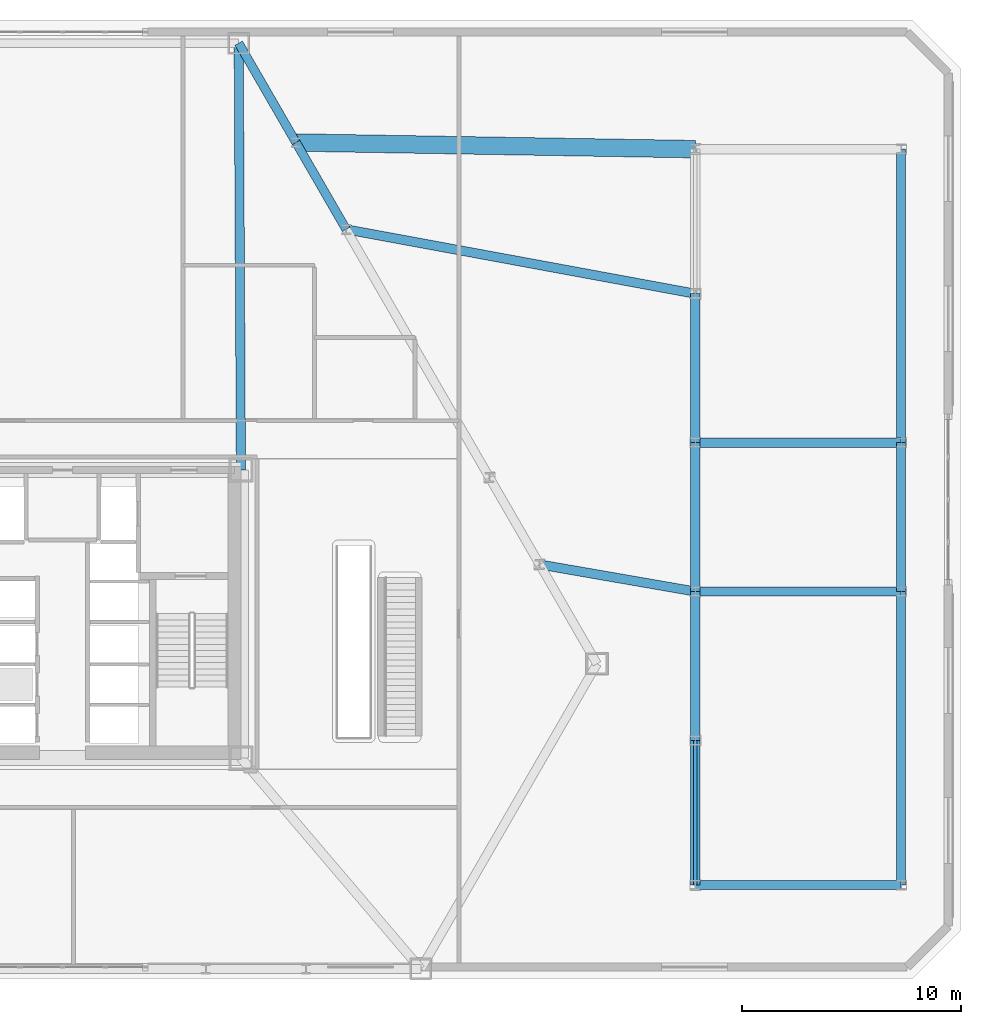
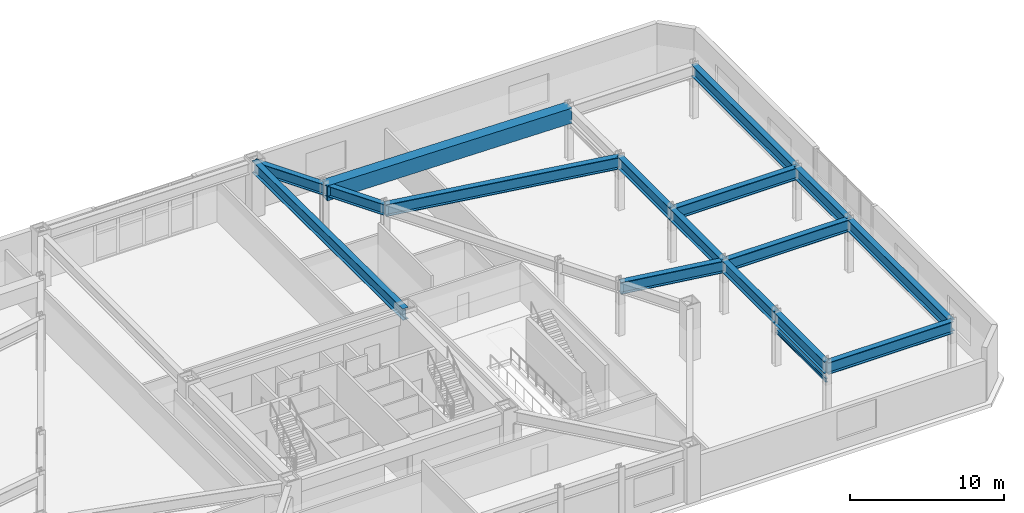
# One storey, part 11 of 21: 17 beams.
"""IFC4 building model written with IfcOpenShell, lengths in metres."""

from ifc_helpers import new_model, si_unit, direction, frame, origin, origin_2d, place, context, subcontext, project, spatial, hollow_rectangle, i_section, extrude, material, material_profile, profile_set, type_object, element, save


model = new_model("IFC4")

# Units and contexts
model_context = context("Model", 3, precision=1e-05, world=origin(), true_north=direction((0.0, 1.0)))
body_context = subcontext(model_context, "Body", "Model", "MODEL_VIEW")
ifc_project = project(units=[si_unit("LENGTHUNIT", "METRE"), si_unit("AREAUNIT", "SQUARE_METRE"), si_unit("VOLUMEUNIT", "CUBIC_METRE"), si_unit("PLANEANGLEUNIT", "RADIAN"), si_unit("MASSUNIT", "GRAM", prefix="KILO")], contexts=[model_context])

# Site, building, storey
site_placement = place(None, origin())
site = spatial("IfcSite", under=ifc_project, at=site_placement, CompositionType="ELEMENT")
building_placement = place(site_placement, origin())
building = spatial("IfcBuilding", under=site, at=building_placement, Name="Oramaril Tower", CompositionType="ELEMENT")
storey_placement = place(building_placement, frame((0.0, 0.0, 5.39990234375)))
storey = spatial("IfcBuildingStorey", under=building, at=storey_placement, Name="L01", CompositionType="ELEMENT", Elevation=5.39990234375)

# Beams
ifc_material_1 = material(Name="Steel ASTM A572 Gr 50", Category="steel")
ifc_material_profile_1 = material_profile(ifc_material_1, i_section(OverallWidth=0.1650390625, OverallDepth=0.31005859375, WebThickness=0.005859375, FlangeThickness=0.009765625, at=origin_2d()), Name="W12X26")
ifc_profile_set_1 = profile_set([ifc_material_profile_1], Name="Steel ASTM A572 Gr 50")
beam_type_1 = type_object("IfcBeamType", Name="BT-LN1", PredefinedType="LINTEL", material=ifc_profile_set_1)
beam_1_placement = place(storey_placement, frame((66.39990234375, 5.199951171875, 2.695068359375), z_axis=(0.0, 1.0, 0.0), x_axis=(-1.0, 0.0, 0.0)))
element("IfcBeam", 1, at=beam_1_placement, inside=storey, type_object=beam_type_1, Name="L01 Podium Opening Lintel Beam", PredefinedType="LINTEL", context=body_context, shape_type="SweptSolid", body=[
    extrude(i_section(OverallWidth=0.1650390625, OverallDepth=0.31005859375, WebThickness=0.005859375, FlangeThickness=0.009765625, at=origin_2d()), origin(), (0.0, 0.0, 1.0), 6.60009765625),
])
ifc_material_2 = material(Name="Steel ASTM A572 Gr 50", Category="steel")
ifc_material_profile_2 = material_profile(ifc_material_2, i_section(OverallWidth=0.424072265625, OverallDepth=0.947021484375, WebThickness=0.02392578125, FlangeThickness=0.042724609375, at=origin_2d()), Name="W36X302")
ifc_profile_set_2 = profile_set([ifc_material_profile_2], Name="Steel ASTM A572 Gr 50")
beam_type_2 = type_object("IfcBeamType", Name="BT-PG1", PredefinedType="BEAM", material=ifc_profile_set_2)
beam_2_placement = place(storey_placement, frame((66.39990234375, 18.60009765625, 3.74658203125), z_axis=(-0.985251471122, 0.171112649011, 0.0), x_axis=(-0.171112649011, -0.985251471122, 0.0)))
element("IfcBeam", 2, at=beam_2_placement, inside=storey, type_object=beam_type_2, Name="L01 Podium Clear-Span Girder 09", PredefinedType="BEAM", context=body_context, shape_type="SweptSolid", body=[
    extrude(i_section(OverallWidth=0.424072265625, OverallDepth=0.947021484375, WebThickness=0.02392578125, FlangeThickness=0.042724609375, at=origin_2d()), origin(), (0.0, 0.0, 1.0), 7.2138671875),
])
beam_3_placement = place(storey_placement, frame((66.39990234375, 32.199951171875, 3.74658203125), z_axis=(-0.983441112449, 0.181227973404, 0.0), x_axis=(-0.181227973404, -0.983441112449, 0.0)))
element("IfcBeam", 3, at=beam_3_placement, inside=storey, type_object=beam_type_2, Name="L01 Podium Clear-Span Girder 11", PredefinedType="BEAM", context=body_context, shape_type="SweptSolid", body=[
    extrude(i_section(OverallWidth=0.424072265625, OverallDepth=0.947021484375, WebThickness=0.02392578125, FlangeThickness=0.042724609375, at=origin_2d()), origin(), (0.0, 0.0, 1.0), 16.211669921875),
])
for number, where, z_axis, x_axis, name in (
    (4, (66.39990234375, 5.199951171875, 3.74658203125), (1.0, 0.0, 0.0), (0.0, 1.0, 0.0), "L01 Wing Transverse Girder 05"),
    (5, (66.39990234375, 18.60009765625, 3.74658203125), (1.0, 0.0, 0.0), (0.0, 1.0, 0.0), "L01 Wing Transverse Girder 06"),
    (6, (66.39990234375, 25.39990234375, 3.74658203125), (1.0, 0.0, 0.0), (0.0, 1.0, 0.0), "L01 Wing Transverse Girder 07"),
):
    element("IfcBeam", number, at=place(storey_placement, frame(where, z_axis=z_axis, x_axis=x_axis)), inside=storey, type_object=beam_type_2, Name=name, PredefinedType="BEAM", context=body_context, shape_type="SweptSolid", body=[
        extrude(i_section(OverallWidth=0.424072265625, OverallDepth=0.947021484375, WebThickness=0.02392578125, FlangeThickness=0.042724609375, at=origin_2d()), origin(), (0.0, 0.0, 1.0), 9.400146484375),
    ])
ifc_material_3 = material(Name="Steel ASTM A572 Gr 50", Category="steel")
ifc_material_profile_3 = material_profile(ifc_material_3, i_section(OverallWidth=0.4189453125, OverallDepth=0.927001953125, WebThickness=0.019287109375, FlangeThickness=0.031982421875, at=origin_2d()), Name="W36X231")
ifc_profile_set_3 = profile_set([ifc_material_profile_3], Name="Steel ASTM A572 Gr 50")
beam_type_3 = type_object("IfcBeamType", Name="BT-PG2", PredefinedType="BEAM", material=ifc_profile_set_3)
beam_4_placement = place(storey_placement, frame((45.64990234375, 24.14990234375, 3.756591796875), z_axis=(-0.005223463456, 0.999986357622, 0.0), x_axis=(-0.999986357622, -0.005223463456, 0.0)))
element("IfcBeam", 7, at=beam_4_placement, inside=storey, type_object=beam_type_3, Name="L01 Radial Primary Beam RB-05", PredefinedType="BEAM", context=body_context, shape_type="SweptSolid", body=[
    extrude(i_section(OverallWidth=0.4189453125, OverallDepth=0.927001953125, WebThickness=0.019287109375, FlangeThickness=0.031982421875, at=origin_2d()), origin(), (0.0, 0.0, 1.0), 19.490234375),
])
beam_5_placement = place(storey_placement, frame((66.39990234375, 5.199951171875, 3.756591796875), z_axis=(0.0, 1.0, 0.0), x_axis=(-1.0, 0.0, 0.0)))
element("IfcBeam", 8, at=beam_5_placement, inside=storey, type_object=beam_type_3, Name="L01 Podium Perimeter Girder 07", PredefinedType="BEAM", context=body_context, shape_type="SweptSolid", body=[
    extrude(i_section(OverallWidth=0.4189453125, OverallDepth=0.927001953125, WebThickness=0.019287109375, FlangeThickness=0.031982421875, at=origin_2d()), origin(), (0.0, 0.0, 1.0), 6.60009765625),
])
beam_6_placement = place(storey_placement, frame((66.39990234375, 11.800048828125, 3.756591796875), z_axis=(0.0, 1.0, 0.0), x_axis=(-1.0, 0.0, 0.0)))
element("IfcBeam", 9, at=beam_6_placement, inside=storey, type_object=beam_type_3, Name="L01 Podium Perimeter Girder 08", PredefinedType="BEAM", context=body_context, shape_type="SweptSolid", body=[
    extrude(i_section(OverallWidth=0.4189453125, OverallDepth=0.927001953125, WebThickness=0.019287109375, FlangeThickness=0.031982421875, at=origin_2d()), origin(), (0.0, 0.0, 1.0), 6.800048828125),
])
beam_7_placement = place(storey_placement, frame((66.39990234375, 18.60009765625, 3.756591796875), z_axis=(0.0, 1.0, 0.0), x_axis=(-1.0, 0.0, 0.0)))
element("IfcBeam", 10, at=beam_7_placement, inside=storey, type_object=beam_type_3, Name="L01 Podium Perimeter Girder 09", PredefinedType="BEAM", context=body_context, shape_type="SweptSolid", body=[
    extrude(i_section(OverallWidth=0.4189453125, OverallDepth=0.927001953125, WebThickness=0.019287109375, FlangeThickness=0.031982421875, at=origin_2d()), origin(), (0.0, 0.0, 1.0), 6.7998046875),
])
beam_8_placement = place(storey_placement, frame((66.39990234375, 25.39990234375, 3.756591796875), z_axis=(0.0, 1.0, 0.0), x_axis=(-1.0, 0.0, 0.0)))
element("IfcBeam", 11, at=beam_8_placement, inside=storey, type_object=beam_type_3, Name="L01 Podium Perimeter Girder 10", PredefinedType="BEAM", context=body_context, shape_type="SweptSolid", body=[
    extrude(i_section(OverallWidth=0.4189453125, OverallDepth=0.927001953125, WebThickness=0.019287109375, FlangeThickness=0.031982421875, at=origin_2d()), origin(), (0.0, 0.0, 1.0), 6.800048828125),
])
beam_9_placement = place(storey_placement, frame((75.800048828125, 5.199951171875, 3.756591796875), z_axis=(0.0, 1.0, 0.0), x_axis=(-1.0, 0.0, 0.0)))
element("IfcBeam", 12, at=beam_9_placement, inside=storey, type_object=beam_type_3, Name="L01 Wing Perimeter Girder 05", PredefinedType="BEAM", context=body_context, shape_type="SweptSolid", body=[
    extrude(i_section(OverallWidth=0.4189453125, OverallDepth=0.927001953125, WebThickness=0.019287109375, FlangeThickness=0.031982421875, at=origin_2d()), origin(), (0.0, 0.0, 1.0), 13.400146484375),
])
beam_10_placement = place(storey_placement, frame((75.800048828125, 18.60009765625, 3.756591796875), z_axis=(0.0, 1.0, 0.0), x_axis=(-1.0, 0.0, 0.0)))
element("IfcBeam", 13, at=beam_10_placement, inside=storey, type_object=beam_type_3, Name="L01 Wing Perimeter Girder 06", PredefinedType="BEAM", context=body_context, shape_type="SweptSolid", body=[
    extrude(i_section(OverallWidth=0.4189453125, OverallDepth=0.927001953125, WebThickness=0.019287109375, FlangeThickness=0.031982421875, at=origin_2d()), origin(), (0.0, 0.0, 1.0), 6.7998046875),
])
beam_11_placement = place(storey_placement, frame((75.800048828125, 25.39990234375, 3.756591796875), z_axis=(0.0, 1.0, 0.0), x_axis=(-1.0, 0.0, 0.0)))
element("IfcBeam", 14, at=beam_11_placement, inside=storey, type_object=beam_type_3, Name="L01 Wing Perimeter Girder 07", PredefinedType="BEAM", context=body_context, shape_type="SweptSolid", body=[
    extrude(i_section(OverallWidth=0.4189453125, OverallDepth=0.927001953125, WebThickness=0.019287109375, FlangeThickness=0.031982421875, at=origin_2d()), origin(), (0.0, 0.0, 1.0), 13.400146484375),
])
ifc_material_4 = material(Name="Steel ASTM A572 Gr 50", Category="steel")
ifc_material_profile_4 = material_profile(ifc_material_4, i_section(OverallWidth=0.40087890625, OverallDepth=0.85595703125, WebThickness=0.018310546875, FlangeThickness=0.029296875, at=origin_2d()), Name="W33X201")
ifc_profile_set_4 = profile_set([ifc_material_profile_4], Name="Steel ASTM A572 Gr 50")
beam_type_4 = type_object("IfcBeamType", Name="BT-SP1", PredefinedType="SPANDREL", material=ifc_profile_set_4)
beam_12_placement = place(storey_placement, frame((50.456787109375, 35.137939453125, 3.7919921875), z_axis=(-0.499996140324, 0.866027632158, 0.0), x_axis=(-0.866027632158, -0.499996140324, 0.0)))
element("IfcBeam", 15, at=beam_12_placement, inside=storey, type_object=beam_type_4, Name="L01 Perimeter Spandrel 11", PredefinedType="SPANDREL", context=body_context, shape_type="SweptSolid", body=[
    extrude(i_section(OverallWidth=0.40087890625, OverallDepth=0.85595703125, WebThickness=0.018310546875, FlangeThickness=0.029296875, at=origin_2d()), origin(), (0.0, 0.0, 1.0), 4.58154296875),
])
beam_13_placement = place(storey_placement, frame((48.166015625, 39.105712890625, 3.7919921875), z_axis=(-0.500015765613, 0.866016301312, 0.0), x_axis=(-0.866016301312, -0.500015765613, 0.0)))
element("IfcBeam", 16, at=beam_13_placement, inside=storey, type_object=beam_type_4, Name="L01 Perimeter Spandrel 12", PredefinedType="SPANDREL", context=body_context, shape_type="SweptSolid", body=[
    extrude(i_section(OverallWidth=0.40087890625, OverallDepth=0.85595703125, WebThickness=0.018310546875, FlangeThickness=0.029296875, at=origin_2d()), origin(), (0.0, 0.0, 1.0), 5.235595703125),
])
ifc_material_5 = material(Name="Steel ASTM A572 Gr 50", Category="steel")
ifc_material_profile_5 = material_profile(ifc_material_5, hollow_rectangle(XDim=0.800048828125, YDim=1.199951171875, WallThickness=0.074951171875, at=origin_2d()), Name="BOX1200X800X75")
ifc_profile_set_5 = profile_set([ifc_material_profile_5], Name="Steel ASTM A572 Gr 50")
beam_type_5 = type_object("IfcBeamType", Name="BT-TT1", PredefinedType="BEAM", material=ifc_profile_set_5)
beam_14_placement = place(storey_placement, frame((66.39990234375, 38.800048828125, 3.6201171875), z_axis=(-0.999859521862, 0.016761161682, 0.0), x_axis=(-0.016761161682, -0.999859521862, 0.0)))
element("IfcBeam", 17, at=beam_14_placement, inside=storey, type_object=beam_type_5, Name="L01 Podium Clear-Span Girder 12", PredefinedType="BEAM", context=body_context, shape_type="SweptSolid", body=[
    extrude(hollow_rectangle(XDim=0.800048828125, YDim=1.199951171875, WallThickness=0.074951171875, at=origin_2d()), origin(), (0.0, 0.0, 1.0), 18.236328125),
])

save(model, "model.ifc")
